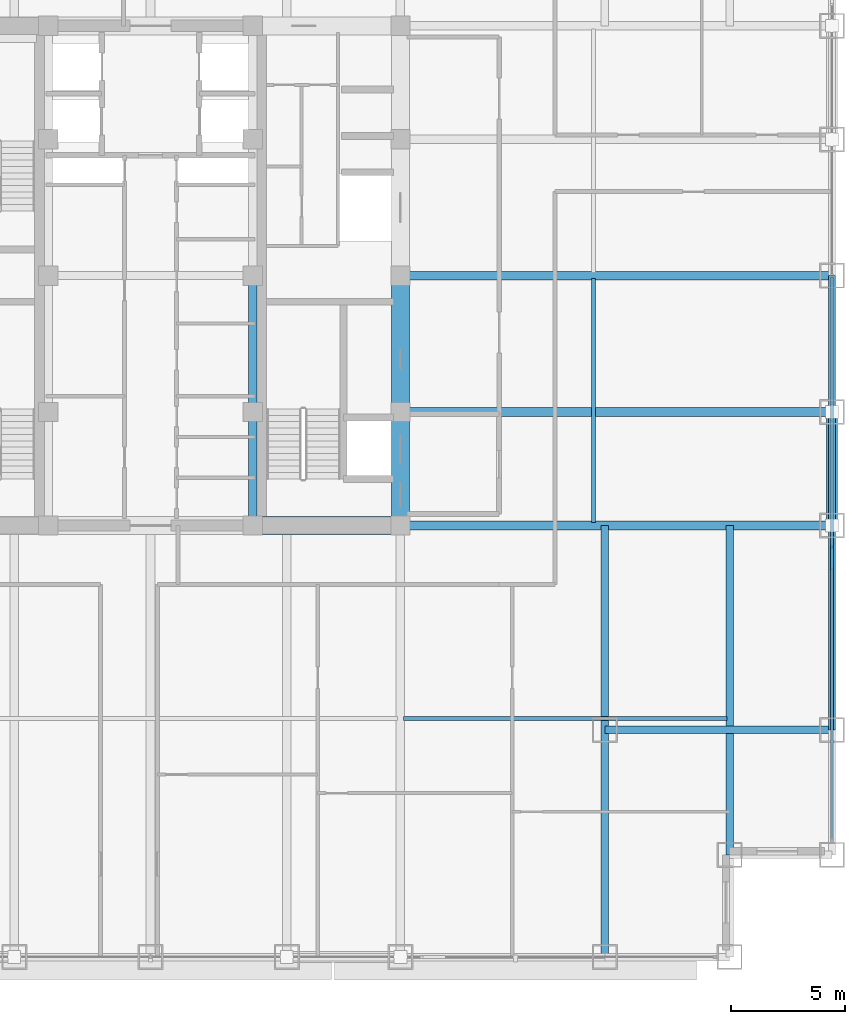
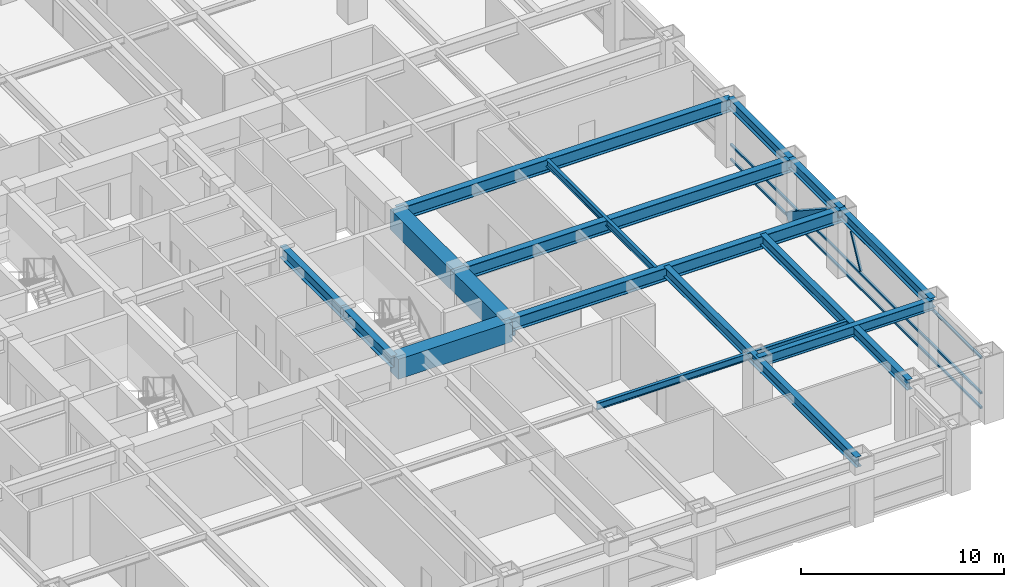
# One storey, part 9 of 28: 16 beams, 5 members, 1 element without a shape of its own.
"""IFC4 building model written with IfcOpenShell, lengths in metres."""

from ifc_helpers import new_model, si_unit, direction, frame, origin, origin_2d, place, context, subcontext, project, spatial, rectangle, hollow_rectangle, i_section, extrude, source, transform, mapped, material, material_profile, profile_set, type_object, element, aggregate, save


model = new_model("IFC4")

# Units and contexts
model_context = context("Model", 3, precision=1e-05, world=origin(), true_north=direction((0.0, 1.0)))
body_context = subcontext(model_context, "Body", "Model", "MODEL_VIEW")
ifc_project = project(units=[si_unit("LENGTHUNIT", "METRE"), si_unit("AREAUNIT", "SQUARE_METRE"), si_unit("VOLUMEUNIT", "CUBIC_METRE"), si_unit("PLANEANGLEUNIT", "RADIAN"), si_unit("MASSUNIT", "GRAM", prefix="KILO")], contexts=[model_context])

# Site, building, storey
site_placement = place(None, origin())
site = spatial("IfcSite", under=ifc_project, at=site_placement, CompositionType="ELEMENT")
building_placement = place(site_placement, origin())
building = spatial("IfcBuilding", under=site, at=building_placement, Name="Khorayat Bourse Tower", CompositionType="ELEMENT")
storey_placement = place(building_placement, frame((0.0, 0.0, 191.10009765625)))
storey = spatial("IfcBuildingStorey", under=building, at=storey_placement, Name="L44", CompositionType="ELEMENT", Elevation=191.10009765625)

# Beams
ifc_material_1 = material(Name="Concrete C72/90", Category="concrete")
ifc_material_profile_1 = material_profile(ifc_material_1, rectangle(XDim=0.800048828125, YDim=1.199951171875, at=origin_2d()), Name="RC 800x1200")
ifc_profile_set_1 = profile_set([ifc_material_profile_1], Name="Concrete C72/90")
beam_type_1 = type_object("IfcBeamType", Name="BM-COUP-1200", PredefinedType="BEAM", material=ifc_profile_set_1)
shared_shape_1 = source(origin(), body_context, "Body", "SweptSolid", [
    extrude(rectangle(XDim=0.800048828125, YDim=1.199951171875, at=origin_2d()), origin(), (0.0, 0.0, 1.0), 5.0),
])
beam_1_placement = place(storey_placement, frame((11.0, -11.0, 3.179931640625), z_axis=(0.0, 1.0, 0.0), x_axis=(-1.0, 0.0, 0.0)))
element("IfcBeam", 1, at=beam_1_placement, inside=storey, type_object=beam_type_1, Name="L44 BM-COUP-1200 BM-L44-CRX-13", PredefinedType="BEAM", context=body_context, shape_type="MappedRepresentation", body=[
    mapped(shared_shape_1, transform((0.0, 0.0, 0.0), scale=1.0)),
])
shared_shape_2 = source(origin(), body_context, "Body", "SweptSolid", [
    extrude(rectangle(XDim=0.800048828125, YDim=1.199951171875, at=origin_2d()), origin(), (0.0, 0.0, 1.0), 6.0),
])
beam_2_placement = place(storey_placement, frame((11.0, -6.0, 3.179931640625), z_axis=(0.0, 1.0, 0.0), x_axis=(-1.0, 0.0, 0.0)))
element("IfcBeam", 2, at=beam_2_placement, inside=storey, type_object=beam_type_1, Name="L44 BM-COUP-1200 BM-L44-CRX-14", PredefinedType="BEAM", context=body_context, shape_type="MappedRepresentation", body=[
    mapped(shared_shape_2, transform((0.0, 0.0, 0.0), scale=1.0)),
])
ifc_material_2 = material(Name="Steel ASTM A992 Grade 50", Category="steel")
ifc_material_profile_2 = material_profile(ifc_material_2, i_section(OverallWidth=0.35498046875, OverallDepth=0.695068359375, WebThickness=0.015380859375, FlangeThickness=0.02490234375, FilletRadius=0.01806640625, at=origin_2d()), Name="W690X217")
ifc_profile_set_2 = profile_set([ifc_material_profile_2], Name="Steel ASTM A992 Grade 50")
beam_type_2 = type_object("IfcBeamType", Name="BM-GIRD-690", PredefinedType="BEAM", material=ifc_profile_set_2)
shared_shape_3 = source(origin(), body_context, "Body", "SweptSolid", [
    extrude(i_section(OverallWidth=0.35498046875, OverallDepth=0.695068359375, WebThickness=0.015380859375, FlangeThickness=0.02490234375, FilletRadius=0.01806640625, at=origin_2d()), origin(), (0.0, 0.0, 1.0), 5.0),
])
beam_3_placement = place(storey_placement, frame((4.5, -11.0, 3.432373046875), z_axis=(0.0, 1.0, 0.0), x_axis=(-1.0, 0.0, 0.0)))
element("IfcBeam", 3, at=beam_3_placement, inside=storey, type_object=beam_type_2, Name="L44 BM-GIRD-690 BM-L44-CRX-09", PredefinedType="BEAM", context=body_context, shape_type="MappedRepresentation", body=[
    mapped(shared_shape_3, transform((0.0, 0.0, 0.0), scale=1.0)),
])
shared_shape_4 = source(origin(), body_context, "Body", "SweptSolid", [
    extrude(i_section(OverallWidth=0.35498046875, OverallDepth=0.695068359375, WebThickness=0.015380859375, FlangeThickness=0.02490234375, FilletRadius=0.01806640625, at=origin_2d()), origin(), (0.0, 0.0, 1.0), 6.0),
])
beam_4_placement = place(storey_placement, frame((4.5, -6.0, 3.432373046875), z_axis=(0.0, 1.0, 0.0), x_axis=(-1.0, 0.0, 0.0)))
element("IfcBeam", 4, at=beam_4_placement, inside=storey, type_object=beam_type_2, Name="L44 BM-GIRD-690 BM-L44-CRX-10", PredefinedType="BEAM", context=body_context, shape_type="MappedRepresentation", body=[
    mapped(shared_shape_4, transform((0.0, 0.0, 0.0), scale=1.0)),
])
shared_shape_5 = source(origin(), body_context, "Body", "SweptSolid", [
    extrude(rectangle(XDim=0.800048828125, YDim=1.199951171875, at=origin_2d()), origin(), (0.0, 0.0, 1.0), 6.5),
])
beam_5_placement = place(storey_placement, frame((4.5, -11.0, 3.179931640625), z_axis=(1.0, 0.0, 0.0), x_axis=(0.0, 1.0, 0.0)))
element("IfcBeam", 5, at=beam_5_placement, inside=storey, type_object=beam_type_1, Name="L44 BM-COUP-1200 BM-L44-CRY-19", PredefinedType="BEAM", context=body_context, shape_type="MappedRepresentation", body=[
    mapped(shared_shape_5, transform((0.0, 0.0, 0.0), scale=1.0)),
])
ifc_material_profile_3 = material_profile(ifc_material_2, i_section(OverallWidth=0.381103515625, OverallDepth=0.77294921875, WebThickness=0.0166015625, FlangeThickness=0.027587890625, FilletRadius=0.01806640625, at=origin_2d()), Name="W760X257")
ifc_profile_set_3 = profile_set([ifc_material_profile_3], Name="Steel ASTM A992 Grade 50")
beam_type_3 = type_object("IfcBeamType", Name="BM-GIRD-760", PredefinedType="BEAM", material=ifc_profile_set_3)
shared_shape_6 = source(origin(), body_context, "Body", "SweptSolid", [
    extrude(i_section(OverallWidth=0.381103515625, OverallDepth=0.77294921875, WebThickness=0.0166015625, FlangeThickness=0.027587890625, FilletRadius=0.01806640625, at=origin_2d()), origin(), (0.0, 0.0, 1.0), 19.0),
])
for number, where, z_axis, x_axis, name in (
    (6, (11.0, -11.0, 3.393310546875), (1.0, 0.0, 0.0), (0.0, 1.0, 0.0), "L44 BM-GIRD-760 BM-L44-RADX-074"),
    (7, (11.0, -6.0, 3.393310546875), (1.0, 0.0, 0.0), (0.0, 1.0, 0.0), "L44 BM-GIRD-760 BM-L44-RADX-076"),
    (8, (11.0, 0.0, 3.393310546875), (1.0, 0.0, 0.0), (0.0, 1.0, 0.0), "L44 BM-GIRD-760 BM-L44-RADX-078"),
):
    element("IfcBeam", number, at=place(storey_placement, frame(where, z_axis=z_axis, x_axis=x_axis)), inside=storey, type_object=beam_type_3, Name=name, PredefinedType="BEAM", context=body_context, shape_type="MappedRepresentation", body=[
        mapped(shared_shape_6, transform((0.0, 0.0, 0.0), scale=1.0)),
    ])
ifc_material_profile_4 = material_profile(ifc_material_2, i_section(OverallWidth=0.324951171875, OverallDepth=0.615966796875, WebThickness=0.013916015625, FlangeThickness=0.021484375, FilletRadius=0.01611328125, at=origin_2d()), Name="W610X174")
ifc_profile_set_4 = profile_set([ifc_material_profile_4], Name="Steel ASTM A992 Grade 50")
beam_type_4 = type_object("IfcBeamType", Name="BM-GIRD-610", PredefinedType="BEAM", material=ifc_profile_set_4)
shared_shape_7 = source(origin(), body_context, "Body", "SweptSolid", [
    extrude(i_section(OverallWidth=0.324951171875, OverallDepth=0.615966796875, WebThickness=0.013916015625, FlangeThickness=0.021484375, FilletRadius=0.01611328125, at=origin_2d()), origin(), (0.0, 0.0, 1.0), 19.0),
])
beam_6_placement = place(storey_placement, frame((20.0, -30.0, 3.471923828125), z_axis=(0.0, 1.0, 0.0), x_axis=(-1.0, 0.0, 0.0)))
element("IfcBeam", 9, at=beam_6_placement, inside=storey, type_object=beam_type_4, Name="L44 BM-GIRD-610 BM-L44-CNRY-086", PredefinedType="BEAM", context=body_context, shape_type="MappedRepresentation", body=[
    mapped(shared_shape_7, transform((0.0, 0.0, 0.0), scale=1.0)),
])
shared_shape_8 = source(origin(), body_context, "Body", "SweptSolid", [
    extrude(i_section(OverallWidth=0.324951171875, OverallDepth=0.615966796875, WebThickness=0.013916015625, FlangeThickness=0.021484375, FilletRadius=0.01611328125, at=origin_2d()), origin(), (0.0, 0.0, 1.0), 14.5),
])
beam_7_placement = place(storey_placement, frame((25.5, -25.5, 3.471923828125), z_axis=(0.0, 1.0, 0.0), x_axis=(-1.0, 0.0, 0.0)))
element("IfcBeam", 10, at=beam_7_placement, inside=storey, type_object=beam_type_4, Name="L44 BM-GIRD-610 BM-L44-CNRY-090", PredefinedType="BEAM", context=body_context, shape_type="MappedRepresentation", body=[
    mapped(shared_shape_8, transform((0.0, 0.0, 0.0), scale=1.0)),
])
shared_shape_9 = source(origin(), body_context, "Body", "SweptSolid", [
    extrude(i_section(OverallWidth=0.324951171875, OverallDepth=0.615966796875, WebThickness=0.013916015625, FlangeThickness=0.021484375, FilletRadius=0.01611328125, at=origin_2d()), origin(), (0.0, 0.0, 1.0), 10.0),
])
beam_8_placement = place(storey_placement, frame((20.0, -20.0, 3.471923828125), z_axis=(1.0, 0.0, 0.0), x_axis=(0.0, 1.0, 0.0)))
element("IfcBeam", 11, at=beam_8_placement, inside=storey, type_object=beam_type_4, Name="L44 BM-GIRD-610 BM-L44-CNRX-092", PredefinedType="BEAM", context=body_context, shape_type="MappedRepresentation", body=[
    mapped(shared_shape_9, transform((0.0, 0.0, 0.0), scale=1.0)),
])
ifc_material_profile_5 = material_profile(ifc_material_2, i_section(OverallWidth=0.180908203125, OverallDepth=0.4169921875, WebThickness=0.010986328125, FlangeThickness=0.018310546875, FilletRadius=0.011962890625, at=origin_2d()), Name="W410X85")
ifc_profile_set_5 = profile_set([ifc_material_profile_5], Name="Steel ASTM A992 Grade 50")
beam_type_5 = type_object("IfcBeamType", Name="BM-JOIST-410", PredefinedType="JOIST", material=ifc_profile_set_5)
shared_shape_10 = source(origin(), body_context, "Body", "SweptSolid", [
    extrude(i_section(OverallWidth=0.180908203125, OverallDepth=0.4169921875, WebThickness=0.010986328125, FlangeThickness=0.018310546875, FilletRadius=0.011962890625, at=origin_2d()), origin(), (0.0, 0.0, 1.0), 14.240234375),
])
beam_9_placement = place(storey_placement, frame((11.1298828125, -19.5, 3.5712890625), z_axis=(1.0, 0.0, 0.0), x_axis=(0.0, 1.0, 0.0)))
element("IfcBeam", 12, at=beam_9_placement, inside=storey, type_object=beam_type_5, Name="L44 BM-JOIST-410 BM-L44-JSTX-098", PredefinedType="JOIST", context=body_context, shape_type="MappedRepresentation", body=[
    mapped(shared_shape_10, transform((0.0, 0.0, 0.0), scale=1.0)),
])
shared_shape_11 = source(origin(), body_context, "Body", "SweptSolid", [
    extrude(i_section(OverallWidth=0.180908203125, OverallDepth=0.4169921875, WebThickness=0.010986328125, FlangeThickness=0.018310546875, FilletRadius=0.011962890625, at=origin_2d()), origin(), (0.0, 0.0, 1.0), 10.740234375),
])
beam_10_placement = place(storey_placement, frame((19.5, -10.8701171875, 3.5712890625), z_axis=(0.0, 1.0, 0.0), x_axis=(-1.0, 0.0, 0.0)))
element("IfcBeam", 13, at=beam_10_placement, inside=storey, type_object=beam_type_5, Name="L44 BM-JOIST-410 BM-L44-JSTY-104", PredefinedType="JOIST", context=body_context, shape_type="MappedRepresentation", body=[
    mapped(shared_shape_11, transform((0.0, 0.0, 0.0), scale=1.0)),
])
ifc_material_profile_6 = material_profile(ifc_material_2, i_section(OverallWidth=0.324951171875, OverallDepth=0.615966796875, WebThickness=0.013916015625, FlangeThickness=0.021484375, FilletRadius=0.01611328125, at=origin_2d()), Name="W610X174")
ifc_profile_set_6 = profile_set([ifc_material_profile_6], Name="Steel ASTM A992 Grade 50")
beam_type_6 = type_object("IfcBeamType", Name="BM-SPAN-610", PredefinedType="SPANDREL", material=ifc_profile_set_6)
shared_shape_12 = source(origin(), body_context, "Body", "SweptSolid", [
    extrude(i_section(OverallWidth=0.324951171875, OverallDepth=0.615966796875, WebThickness=0.013916015625, FlangeThickness=0.021484375, FilletRadius=0.01611328125, at=origin_2d()), origin(), (0.0, 0.0, 1.0), 9.0),
])
beam_11_placement = place(storey_placement, frame((30.0, -20.0, 3.471923828125), z_axis=(0.0, 1.0, 0.0), x_axis=(-1.0, 0.0, 0.0)))
element("IfcBeam", 14, at=beam_11_placement, inside=storey, type_object=beam_type_6, Name="L44 BM-SPAN-610 BM-L44-SPN-035", PredefinedType="SPANDREL", context=body_context, shape_type="MappedRepresentation", body=[
    mapped(shared_shape_12, transform((0.0, 0.0, 0.0), scale=1.0)),
])
shared_shape_13 = source(origin(), body_context, "Body", "SweptSolid", [
    extrude(i_section(OverallWidth=0.324951171875, OverallDepth=0.615966796875, WebThickness=0.013916015625, FlangeThickness=0.021484375, FilletRadius=0.01611328125, at=origin_2d()), origin(), (0.0, 0.0, 1.0), 5.0),
])
beam_12_placement = place(storey_placement, frame((30.0, -11.0, 3.471923828125), z_axis=(0.0, 1.0, 0.0), x_axis=(-1.0, 0.0, 0.0)))
element("IfcBeam", 15, at=beam_12_placement, inside=storey, type_object=beam_type_6, Name="L44 BM-SPAN-610 BM-L44-SPN-036", PredefinedType="SPANDREL", context=body_context, shape_type="MappedRepresentation", body=[
    mapped(shared_shape_13, transform((0.0, 0.0, 0.0), scale=1.0)),
])
shared_shape_14 = source(origin(), body_context, "Body", "SweptSolid", [
    extrude(i_section(OverallWidth=0.324951171875, OverallDepth=0.615966796875, WebThickness=0.013916015625, FlangeThickness=0.021484375, FilletRadius=0.01611328125, at=origin_2d()), origin(), (0.0, 0.0, 1.0), 6.0),
])
beam_13_placement = place(storey_placement, frame((30.0, -6.0, 3.471923828125), z_axis=(0.0, 1.0, 0.0), x_axis=(-1.0, 0.0, 0.0)))
element("IfcBeam", 16, at=beam_13_placement, inside=storey, type_object=beam_type_6, Name="L44 BM-SPAN-610 BM-L44-SPN-037", PredefinedType="SPANDREL", context=body_context, shape_type="MappedRepresentation", body=[
    mapped(shared_shape_14, transform((0.0, 0.0, 0.0), scale=1.0)),
])

# Member
ifc_material_3 = material(Name="Steel EN 10025-4 S460M", Category="steel")
ifc_material_profile_7 = material_profile(ifc_material_3, hollow_rectangle(XDim=0.5, YDim=0.5, WallThickness=0.028076171875, at=origin_2d()), Name="HSS 500x500x28")
ifc_profile_set_7 = profile_set([ifc_material_profile_7], Name="Steel EN 10025-4 S460M")
member_type_1 = type_object("IfcMemberType", Name="MBR-TUBE-500", PredefinedType="BRACE", material=ifc_profile_set_7)
shared_shape_15 = source(origin(), body_context, "Body", "SweptSolid", [
    extrude(hollow_rectangle(XDim=0.5, YDim=0.5, WallThickness=0.028076171875, at=origin_2d()), origin(), (0.0, 0.0, 1.0), 5.979736328125),
])
member_1_placement = place(storey_placement, frame((30.0, -11.0, 3.52978515625), z_axis=(0.0, 0.836160261256, -0.548485202623), x_axis=(-1.0, 0.0, 0.0)))
element("IfcMember", 17, at=member_1_placement, inside=storey, type_object=member_type_1, Name="L44 Perimeter Tube Brace 07", PredefinedType="BRACE", context=body_context, shape_type="MappedRepresentation", body=[
    mapped(shared_shape_15, transform((0.0, 0.0, 0.0), scale=1.0)),
])

# Curtain wall, members
ifc_material_4 = material(Name="Aluminium EN AW-6063 T6", Category="aluminium")
curtain_wall_type = type_object("IfcCurtainWallType", Name="CW-SYS-03", PredefinedType="NOTDEFINED", material=ifc_material_4)
curtain_wall_placement = place(storey_placement, origin())
curtain_wall = element("IfcCurtainWall", 18, at=curtain_wall_placement, inside=storey, type_object=curtain_wall_type, Name="L44 Curtain Wall CW-L44-E1", PredefinedType="NOTDEFINED")
ifc_material_profile_8 = material_profile(ifc_material_4, hollow_rectangle(XDim=0.1201171875, YDim=0.1201171875, WallThickness=0.0048828125, at=origin_2d()), Name="ALU 120x120x5")
ifc_profile_set_8 = profile_set([ifc_material_profile_8], Name="Aluminium EN AW-6063 T6")
member_type_2 = type_object("IfcMemberType", Name="CWM-DIAG-120", PredefinedType="MULLION", material=ifc_profile_set_8)
shared_shape_16 = source(origin(), body_context, "Body", "SweptSolid", [
    extrude(hollow_rectangle(XDim=0.1201171875, YDim=0.1201171875, WallThickness=0.0048828125, at=origin_2d()), origin(), (0.0, 0.0, 1.0), 2.079345703125),
])
member_2_placement = place(storey_placement, frame((30.0, -12.904296875, 1.08984375), z_axis=(0.0, 0.465760949701, 0.884910581773), x_axis=(-1.0, 0.0, 0.0)))
member_2 = element("IfcMember", 19, at=member_2_placement, type_object=member_type_2, Name="CW-L44-E1 Faceted Diagonal Mullion 1", PredefinedType="MULLION", context=body_context, shape_type="MappedRepresentation", body=[
    mapped(shared_shape_16, transform((0.0, 0.0, 0.0), scale=1.0)),
])
ifc_material_profile_9 = material_profile(ifc_material_4, hollow_rectangle(XDim=0.1201171875, YDim=0.1201171875, WallThickness=0.0048828125, at=origin_2d()), Name="ALU 120x120x5")
ifc_profile_set_9 = profile_set([ifc_material_profile_9], Name="Aluminium EN AW-6063 T6")
member_type_3 = type_object("IfcMemberType", Name="CWT-HORZ-120", PredefinedType="USERDEFINED", material=ifc_profile_set_9)
shared_shape_17 = source(origin(), body_context, "Body", "SweptSolid", [
    extrude(hollow_rectangle(XDim=0.1201171875, YDim=0.1201171875, WallThickness=0.0048828125, at=origin_2d()), origin(), (0.0, 0.0, 1.0), 24.719970703125),
])
member_3_placement = place(storey_placement, frame((30.0, -24.780029296875, 0.059814453125), z_axis=(0.0, 1.0, 0.0), x_axis=(-1.0, 0.0, 0.0)))
member_3 = element("IfcMember", 20, at=member_3_placement, type_object=member_type_3, Name="CW-L44-E1 Horizontal Transom 1-1", ObjectType="TRANSOM", PredefinedType="USERDEFINED", context=body_context, shape_type="MappedRepresentation", body=[
    mapped(shared_shape_17, transform((0.0, 0.0, 0.0), scale=1.0)),
])
member_4_placement = place(storey_placement, frame((30.0, -24.780029296875, 0.949951171875), z_axis=(0.0, 1.0, 0.0), x_axis=(-1.0, 0.0, 0.0)))
member_4 = element("IfcMember", 21, at=member_4_placement, type_object=member_type_3, Name="CW-L44-E1 Horizontal Transom 1-2", ObjectType="TRANSOM", PredefinedType="USERDEFINED", context=body_context, shape_type="MappedRepresentation", body=[
    mapped(shared_shape_17, transform((0.0, 0.0, 0.0), scale=1.0)),
])
member_5_placement = place(storey_placement, frame((30.0, -24.780029296875, 3.06982421875), z_axis=(0.0, 1.0, 0.0), x_axis=(-1.0, 0.0, 0.0)))
member_5 = element("IfcMember", 22, at=member_5_placement, type_object=member_type_3, Name="CW-L44-E1 Horizontal Transom 1-3", ObjectType="TRANSOM", PredefinedType="USERDEFINED", context=body_context, shape_type="MappedRepresentation", body=[
    mapped(shared_shape_17, transform((0.0, 0.0, 0.0), scale=1.0)),
])
aggregate(curtain_wall, [member_3, member_4, member_5, member_2])

save(model, "model.ifc")
